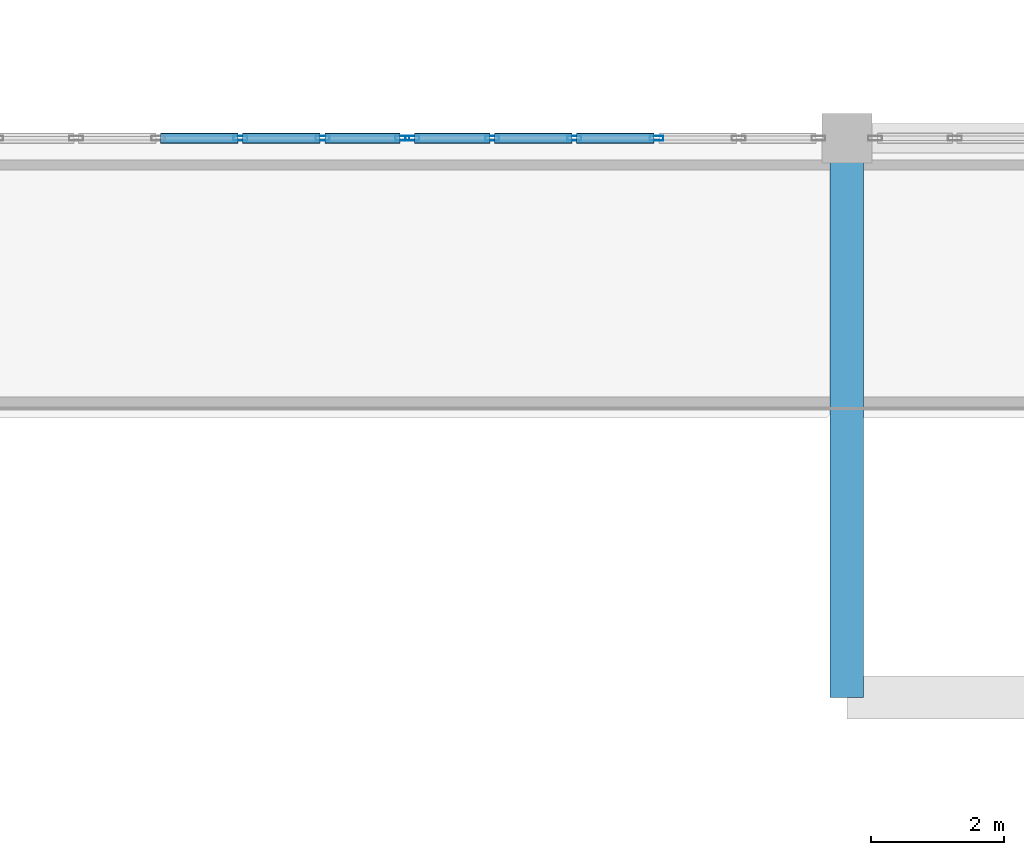
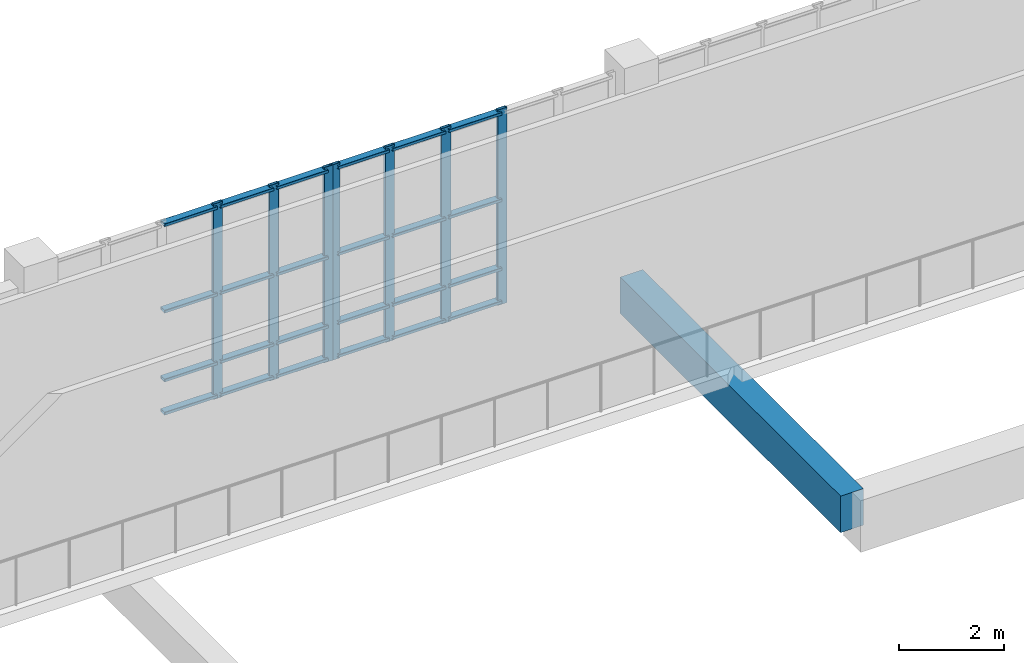
# One storey, part 47 of 106: 31 members, 1 beam, 2 elements without a shape of their own.
"""IFC4 building model written with IfcOpenShell, lengths in metres."""

from ifc_helpers import new_model, si_unit, direction, frame, origin, origin_2d, place, context, subcontext, project, spatial, rectangle, hollow_rectangle, extrude, material, layer, layer_set, material_profile, profile_set, type_object, element, aggregate, save


model = new_model("IFC4")

# Units and contexts
model_context = context("Model", 3, precision=1e-05, world=origin(), true_north=direction((0.0, 1.0)))
body_context = subcontext(model_context, "Body", "Model", "MODEL_VIEW")
ifc_project = project(units=[si_unit("LENGTHUNIT", "METRE"), si_unit("AREAUNIT", "SQUARE_METRE"), si_unit("VOLUMEUNIT", "CUBIC_METRE"), si_unit("PLANEANGLEUNIT", "RADIAN"), si_unit("MASSUNIT", "GRAM", prefix="KILO")], contexts=[model_context])

# Site, building, storey
site_placement = place(None, origin())
site = spatial("IfcSite", under=ifc_project, at=site_placement, CompositionType="ELEMENT")
building_placement = place(site_placement, origin())
building = spatial("IfcBuilding", under=site, at=building_placement, Name="Kisaragi Civic Commons", CompositionType="ELEMENT")
storey_placement = place(building_placement, frame((0.0, 0.0, 4.800048828125)))
storey = spatial("IfcBuildingStorey", under=building, at=storey_placement, Name="L01", CompositionType="ELEMENT", Elevation=4.800048828125)

# Curtain wall, members
ifc_material_1 = material(Name="Thermally broken anodized aluminium and low-E double glazing", Category="aluminium")
ifc_layer = layer(ifc_material_1, 0.2099609375, Name="Thermally broken anodized aluminium and low-E double glazing", Category="aluminium")
ifc_layer_set = layer_set([ifc_layer], Name="Thermally broken anodized aluminium and low-E double glazing")
curtain_wall_type = type_object("IfcCurtainWallType", Name="CW-02", PredefinedType="NOTDEFINED", material=ifc_layer_set)
curtain_wall_1_placement = place(storey_placement, origin())
curtain_wall_1 = element("IfcCurtainWall", 1, at=curtain_wall_1_placement, inside=storey, type_object=curtain_wall_type, Name="L01 curtain wall CW-02 CW-V3-L01-019", PredefinedType="NOTDEFINED")
ifc_material_profile_1 = material_profile(ifc_material_1, hollow_rectangle(XDim=0.070068359375, YDim=0.2099609375, WallThickness=0.0048828125, InnerFilletRadius=0.0048828125, OuterFilletRadius=0.010009765625, at=origin_2d()), Name="CWM-70x210x5", Category="aluminium")
ifc_profile_set_1 = profile_set([ifc_material_profile_1], Name="Thermally broken anodized aluminium and low-E double glazing")
member_type_1 = type_object("IfcMemberType", Name="CWM-03", PredefinedType="MULLION", material=ifc_profile_set_1)
member_1_placement = place(storey_placement, frame((137.2919921875, 25.199951171875, 0.0), z_axis=(0.0, 0.0, 1.0), x_axis=(0.0, 1.0, 0.0)))
member_1 = element("IfcMember", 2, at=member_1_placement, type_object=member_type_1, Name="CW-02 mullion 4", PredefinedType="MULLION", context=body_context, shape_type="SweptSolid", body=[
    extrude(hollow_rectangle(XDim=0.070068359375, YDim=0.2099609375, WallThickness=0.0048828125, InnerFilletRadius=0.0048828125, OuterFilletRadius=0.010009765625, at=origin_2d()), origin(), (0.0, 0.0, 1.0), 4.5400390625),
])
member_2_placement = place(storey_placement, frame((138.52587890625, 25.199951171875, 0.0), z_axis=(0.0, 0.0, 1.0), x_axis=(0.0, 1.0, 0.0)))
member_2 = element("IfcMember", 3, at=member_2_placement, type_object=member_type_1, Name="CW-02 mullion 5", PredefinedType="MULLION", context=body_context, shape_type="SweptSolid", body=[
    extrude(hollow_rectangle(XDim=0.070068359375, YDim=0.2099609375, WallThickness=0.0048828125, InnerFilletRadius=0.0048828125, OuterFilletRadius=0.010009765625, at=origin_2d()), origin(), (0.0, 0.0, 1.0), 4.5400390625),
])
member_3_placement = place(storey_placement, frame((139.72509765625, 25.199951171875, 0.0), z_axis=(0.0, 0.0, 1.0), x_axis=(0.0, 1.0, 0.0)))
member_3 = element("IfcMember", 4, at=member_3_placement, type_object=member_type_1, Name="CW-02 mullion 6", PredefinedType="MULLION", context=body_context, shape_type="SweptSolid", body=[
    extrude(hollow_rectangle(XDim=0.070068359375, YDim=0.2099609375, WallThickness=0.0048828125, InnerFilletRadius=0.0048828125, OuterFilletRadius=0.010009765625, at=origin_2d()), origin(), (0.0, 0.0, 1.0), 4.5400390625),
])

curtain_wall_2_placement = place(storey_placement, origin())
curtain_wall_2 = element("IfcCurtainWall", 5, at=curtain_wall_2_placement, inside=storey, type_object=curtain_wall_type, Name="L01 curtain wall CW-02 CW-V3-L01-020", PredefinedType="NOTDEFINED")
member_4_placement = place(storey_placement, frame((139.875, 25.199951171875, 0.0), z_axis=(0.0, 0.0, 1.0), x_axis=(0.0, 1.0, 0.0)))
member_4 = element("IfcMember", 6, at=member_4_placement, type_object=member_type_1, Name="CW-02 mullion 1", PredefinedType="MULLION", context=body_context, shape_type="SweptSolid", body=[
    extrude(hollow_rectangle(XDim=0.070068359375, YDim=0.2099609375, WallThickness=0.0048828125, InnerFilletRadius=0.0048828125, OuterFilletRadius=0.010009765625, at=origin_2d()), origin(), (0.0, 0.0, 1.0), 4.5400390625),
])
member_5_placement = place(storey_placement, frame((141.073974609375, 25.199951171875, 0.0), z_axis=(0.0, 0.0, 1.0), x_axis=(0.0, 1.0, 0.0)))
member_5 = element("IfcMember", 7, at=member_5_placement, type_object=member_type_1, Name="CW-02 mullion 2", PredefinedType="MULLION", context=body_context, shape_type="SweptSolid", body=[
    extrude(hollow_rectangle(XDim=0.070068359375, YDim=0.2099609375, WallThickness=0.0048828125, InnerFilletRadius=0.0048828125, OuterFilletRadius=0.010009765625, at=origin_2d()), origin(), (0.0, 0.0, 1.0), 4.5400390625),
])
member_6_placement = place(storey_placement, frame((142.30810546875, 25.199951171875, 0.0), z_axis=(0.0, 0.0, 1.0), x_axis=(0.0, 1.0, 0.0)))
member_6 = element("IfcMember", 8, at=member_6_placement, type_object=member_type_1, Name="CW-02 mullion 3", PredefinedType="MULLION", context=body_context, shape_type="SweptSolid", body=[
    extrude(hollow_rectangle(XDim=0.070068359375, YDim=0.2099609375, WallThickness=0.0048828125, InnerFilletRadius=0.0048828125, OuterFilletRadius=0.010009765625, at=origin_2d()), origin(), (0.0, 0.0, 1.0), 4.5400390625),
])
member_7_placement = place(storey_placement, frame((143.5419921875, 25.199951171875, 0.0), z_axis=(0.0, 0.0, 1.0), x_axis=(0.0, 1.0, 0.0)))
member_7 = element("IfcMember", 9, at=member_7_placement, type_object=member_type_1, Name="CW-02 mullion 4", PredefinedType="MULLION", context=body_context, shape_type="SweptSolid", body=[
    extrude(hollow_rectangle(XDim=0.070068359375, YDim=0.2099609375, WallThickness=0.0048828125, InnerFilletRadius=0.0048828125, OuterFilletRadius=0.010009765625, at=origin_2d()), origin(), (0.0, 0.0, 1.0), 4.5400390625),
])

# Member
ifc_material_profile_2 = material_profile(ifc_material_1, hollow_rectangle(XDim=0.159912109375, YDim=0.070068359375, WallThickness=0.0048828125, InnerFilletRadius=0.0048828125, OuterFilletRadius=0.010009765625, at=origin_2d()), Name="CWT-70x160x5", Category="aluminium")
ifc_profile_set_2 = profile_set([ifc_material_profile_2], Name="Thermally broken anodized aluminium and low-E double glazing")
member_type_2 = type_object("IfcMemberType", Name="CWT-03", PredefinedType="USERDEFINED", material=ifc_profile_set_2)
member_8_placement = place(storey_placement, frame((136.093017578125, 25.199951171875, 0.079833984375), z_axis=(1.0, 0.0, 0.0), x_axis=(0.0, 1.0, 0.0)))
member_8 = element("IfcMember", 10, at=member_8_placement, type_object=member_type_2, Name="CW-02 transom 3.1", ObjectType="TRANSOM", PredefinedType="USERDEFINED", context=body_context, shape_type="SweptSolid", body=[
    extrude(hollow_rectangle(XDim=0.159912109375, YDim=0.070068359375, WallThickness=0.0048828125, InnerFilletRadius=0.0048828125, OuterFilletRadius=0.010009765625, at=origin_2d()), origin(), (0.0, 0.0, 1.0), 1.1640625),
])

member_9_placement = place(storey_placement, frame((136.093017578125, 25.199951171875, 0.849853515625), z_axis=(1.0, 0.0, 0.0), x_axis=(0.0, 1.0, 0.0)))
member_9 = element("IfcMember", 11, at=member_9_placement, type_object=member_type_2, Name="CW-02 transom 3.2", ObjectType="TRANSOM", PredefinedType="USERDEFINED", context=body_context, shape_type="SweptSolid", body=[
    extrude(hollow_rectangle(XDim=0.159912109375, YDim=0.070068359375, WallThickness=0.0048828125, InnerFilletRadius=0.0048828125, OuterFilletRadius=0.010009765625, at=origin_2d()), origin(), (0.0, 0.0, 1.0), 1.1640625),
])

member_10_placement = place(storey_placement, frame((136.093017578125, 25.199951171875, 2.449951171875), z_axis=(1.0, 0.0, 0.0), x_axis=(0.0, 1.0, 0.0)))
member_10 = element("IfcMember", 12, at=member_10_placement, type_object=member_type_2, Name="CW-02 transom 3.3", ObjectType="TRANSOM", PredefinedType="USERDEFINED", context=body_context, shape_type="SweptSolid", body=[
    extrude(hollow_rectangle(XDim=0.159912109375, YDim=0.070068359375, WallThickness=0.0048828125, InnerFilletRadius=0.0048828125, OuterFilletRadius=0.010009765625, at=origin_2d()), origin(), (0.0, 0.0, 1.0), 1.1640625),
])

member_11_placement = place(storey_placement, frame((136.093017578125, 25.199951171875, 4.4599609375), z_axis=(1.0, 0.0, 0.0), x_axis=(0.0, 1.0, 0.0)))
member_11 = element("IfcMember", 13, at=member_11_placement, type_object=member_type_2, Name="CW-02 transom 3.4", ObjectType="TRANSOM", PredefinedType="USERDEFINED", context=body_context, shape_type="SweptSolid", body=[
    extrude(hollow_rectangle(XDim=0.159912109375, YDim=0.070068359375, WallThickness=0.0048828125, InnerFilletRadius=0.0048828125, OuterFilletRadius=0.010009765625, at=origin_2d()), origin(), (0.0, 0.0, 1.0), 1.1640625),
])

member_12_placement = place(storey_placement, frame((137.326904296875, 25.199951171875, 0.079833984375), z_axis=(1.0, 0.0, 0.0), x_axis=(0.0, 1.0, 0.0)))
member_12 = element("IfcMember", 14, at=member_12_placement, type_object=member_type_2, Name="CW-02 transom 4.1", ObjectType="TRANSOM", PredefinedType="USERDEFINED", context=body_context, shape_type="SweptSolid", body=[
    extrude(hollow_rectangle(XDim=0.159912109375, YDim=0.070068359375, WallThickness=0.0048828125, InnerFilletRadius=0.0048828125, OuterFilletRadius=0.010009765625, at=origin_2d()), origin(), (0.0, 0.0, 1.0), 1.1640625),
])

member_13_placement = place(storey_placement, frame((137.326904296875, 25.199951171875, 0.849853515625), z_axis=(1.0, 0.0, 0.0), x_axis=(0.0, 1.0, 0.0)))
member_13 = element("IfcMember", 15, at=member_13_placement, type_object=member_type_2, Name="CW-02 transom 4.2", ObjectType="TRANSOM", PredefinedType="USERDEFINED", context=body_context, shape_type="SweptSolid", body=[
    extrude(hollow_rectangle(XDim=0.159912109375, YDim=0.070068359375, WallThickness=0.0048828125, InnerFilletRadius=0.0048828125, OuterFilletRadius=0.010009765625, at=origin_2d()), origin(), (0.0, 0.0, 1.0), 1.1640625),
])

member_14_placement = place(storey_placement, frame((137.326904296875, 25.199951171875, 2.449951171875), z_axis=(1.0, 0.0, 0.0), x_axis=(0.0, 1.0, 0.0)))
member_14 = element("IfcMember", 16, at=member_14_placement, type_object=member_type_2, Name="CW-02 transom 4.3", ObjectType="TRANSOM", PredefinedType="USERDEFINED", context=body_context, shape_type="SweptSolid", body=[
    extrude(hollow_rectangle(XDim=0.159912109375, YDim=0.070068359375, WallThickness=0.0048828125, InnerFilletRadius=0.0048828125, OuterFilletRadius=0.010009765625, at=origin_2d()), origin(), (0.0, 0.0, 1.0), 1.1640625),
])

member_15_placement = place(storey_placement, frame((137.326904296875, 25.199951171875, 4.4599609375), z_axis=(1.0, 0.0, 0.0), x_axis=(0.0, 1.0, 0.0)))
member_15 = element("IfcMember", 17, at=member_15_placement, type_object=member_type_2, Name="CW-02 transom 4.4", ObjectType="TRANSOM", PredefinedType="USERDEFINED", context=body_context, shape_type="SweptSolid", body=[
    extrude(hollow_rectangle(XDim=0.159912109375, YDim=0.070068359375, WallThickness=0.0048828125, InnerFilletRadius=0.0048828125, OuterFilletRadius=0.010009765625, at=origin_2d()), origin(), (0.0, 0.0, 1.0), 1.1640625),
])

member_16_placement = place(storey_placement, frame((138.56103515625, 25.199951171875, 0.079833984375), z_axis=(1.0, 0.0, 0.0), x_axis=(0.0, 1.0, 0.0)))
member_16 = element("IfcMember", 18, at=member_16_placement, type_object=member_type_2, Name="CW-02 transom 5.1", ObjectType="TRANSOM", PredefinedType="USERDEFINED", context=body_context, shape_type="SweptSolid", body=[
    extrude(hollow_rectangle(XDim=0.159912109375, YDim=0.070068359375, WallThickness=0.0048828125, InnerFilletRadius=0.0048828125, OuterFilletRadius=0.010009765625, at=origin_2d()), origin(), (0.0, 0.0, 1.0), 1.12890625),
])

member_17_placement = place(storey_placement, frame((138.56103515625, 25.199951171875, 0.849853515625), z_axis=(1.0, 0.0, 0.0), x_axis=(0.0, 1.0, 0.0)))
member_17 = element("IfcMember", 19, at=member_17_placement, type_object=member_type_2, Name="CW-02 transom 5.2", ObjectType="TRANSOM", PredefinedType="USERDEFINED", context=body_context, shape_type="SweptSolid", body=[
    extrude(hollow_rectangle(XDim=0.159912109375, YDim=0.070068359375, WallThickness=0.0048828125, InnerFilletRadius=0.0048828125, OuterFilletRadius=0.010009765625, at=origin_2d()), origin(), (0.0, 0.0, 1.0), 1.12890625),
])

member_18_placement = place(storey_placement, frame((138.56103515625, 25.199951171875, 2.449951171875), z_axis=(1.0, 0.0, 0.0), x_axis=(0.0, 1.0, 0.0)))
member_18 = element("IfcMember", 20, at=member_18_placement, type_object=member_type_2, Name="CW-02 transom 5.3", ObjectType="TRANSOM", PredefinedType="USERDEFINED", context=body_context, shape_type="SweptSolid", body=[
    extrude(hollow_rectangle(XDim=0.159912109375, YDim=0.070068359375, WallThickness=0.0048828125, InnerFilletRadius=0.0048828125, OuterFilletRadius=0.010009765625, at=origin_2d()), origin(), (0.0, 0.0, 1.0), 1.12890625),
])

member_19_placement = place(storey_placement, frame((138.56103515625, 25.199951171875, 4.4599609375), z_axis=(1.0, 0.0, 0.0), x_axis=(0.0, 1.0, 0.0)))
member_19 = element("IfcMember", 21, at=member_19_placement, type_object=member_type_2, Name="CW-02 transom 5.4", ObjectType="TRANSOM", PredefinedType="USERDEFINED", context=body_context, shape_type="SweptSolid", body=[
    extrude(hollow_rectangle(XDim=0.159912109375, YDim=0.070068359375, WallThickness=0.0048828125, InnerFilletRadius=0.0048828125, OuterFilletRadius=0.010009765625, at=origin_2d()), origin(), (0.0, 0.0, 1.0), 1.12890625),
])

aggregate(curtain_wall_1, [member_1, member_2, member_3, member_8, member_9, member_10, member_11, member_12, member_13, member_14, member_15, member_16, member_17, member_18, member_19])

member_20_placement = place(storey_placement, frame((139.909912109375, 25.199951171875, 0.079833984375), z_axis=(1.0, 0.0, 0.0), x_axis=(0.0, 1.0, 0.0)))
member_20 = element("IfcMember", 22, at=member_20_placement, type_object=member_type_2, Name="CW-02 transom 1.1", ObjectType="TRANSOM", PredefinedType="USERDEFINED", context=body_context, shape_type="SweptSolid", body=[
    extrude(hollow_rectangle(XDim=0.159912109375, YDim=0.070068359375, WallThickness=0.0048828125, InnerFilletRadius=0.0048828125, OuterFilletRadius=0.010009765625, at=origin_2d()), origin(), (0.0, 0.0, 1.0), 1.129150390625),
])

member_21_placement = place(storey_placement, frame((139.909912109375, 25.199951171875, 0.849853515625), z_axis=(1.0, 0.0, 0.0), x_axis=(0.0, 1.0, 0.0)))
member_21 = element("IfcMember", 23, at=member_21_placement, type_object=member_type_2, Name="CW-02 transom 1.2", ObjectType="TRANSOM", PredefinedType="USERDEFINED", context=body_context, shape_type="SweptSolid", body=[
    extrude(hollow_rectangle(XDim=0.159912109375, YDim=0.070068359375, WallThickness=0.0048828125, InnerFilletRadius=0.0048828125, OuterFilletRadius=0.010009765625, at=origin_2d()), origin(), (0.0, 0.0, 1.0), 1.129150390625),
])

member_22_placement = place(storey_placement, frame((139.909912109375, 25.199951171875, 2.449951171875), z_axis=(1.0, 0.0, 0.0), x_axis=(0.0, 1.0, 0.0)))
member_22 = element("IfcMember", 24, at=member_22_placement, type_object=member_type_2, Name="CW-02 transom 1.3", ObjectType="TRANSOM", PredefinedType="USERDEFINED", context=body_context, shape_type="SweptSolid", body=[
    extrude(hollow_rectangle(XDim=0.159912109375, YDim=0.070068359375, WallThickness=0.0048828125, InnerFilletRadius=0.0048828125, OuterFilletRadius=0.010009765625, at=origin_2d()), origin(), (0.0, 0.0, 1.0), 1.129150390625),
])

member_23_placement = place(storey_placement, frame((139.909912109375, 25.199951171875, 4.4599609375), z_axis=(1.0, 0.0, 0.0), x_axis=(0.0, 1.0, 0.0)))
member_23 = element("IfcMember", 25, at=member_23_placement, type_object=member_type_2, Name="CW-02 transom 1.4", ObjectType="TRANSOM", PredefinedType="USERDEFINED", context=body_context, shape_type="SweptSolid", body=[
    extrude(hollow_rectangle(XDim=0.159912109375, YDim=0.070068359375, WallThickness=0.0048828125, InnerFilletRadius=0.0048828125, OuterFilletRadius=0.010009765625, at=origin_2d()), origin(), (0.0, 0.0, 1.0), 1.129150390625),
])

member_24_placement = place(storey_placement, frame((141.10888671875, 25.199951171875, 0.079833984375), z_axis=(1.0, 0.0, 0.0), x_axis=(0.0, 1.0, 0.0)))
member_24 = element("IfcMember", 26, at=member_24_placement, type_object=member_type_2, Name="CW-02 transom 2.1", ObjectType="TRANSOM", PredefinedType="USERDEFINED", context=body_context, shape_type="SweptSolid", body=[
    extrude(hollow_rectangle(XDim=0.159912109375, YDim=0.070068359375, WallThickness=0.0048828125, InnerFilletRadius=0.0048828125, OuterFilletRadius=0.010009765625, at=origin_2d()), origin(), (0.0, 0.0, 1.0), 1.1640625),
])

member_25_placement = place(storey_placement, frame((141.10888671875, 25.199951171875, 0.849853515625), z_axis=(1.0, 0.0, 0.0), x_axis=(0.0, 1.0, 0.0)))
member_25 = element("IfcMember", 27, at=member_25_placement, type_object=member_type_2, Name="CW-02 transom 2.2", ObjectType="TRANSOM", PredefinedType="USERDEFINED", context=body_context, shape_type="SweptSolid", body=[
    extrude(hollow_rectangle(XDim=0.159912109375, YDim=0.070068359375, WallThickness=0.0048828125, InnerFilletRadius=0.0048828125, OuterFilletRadius=0.010009765625, at=origin_2d()), origin(), (0.0, 0.0, 1.0), 1.1640625),
])

member_26_placement = place(storey_placement, frame((141.10888671875, 25.199951171875, 2.449951171875), z_axis=(1.0, 0.0, 0.0), x_axis=(0.0, 1.0, 0.0)))
member_26 = element("IfcMember", 28, at=member_26_placement, type_object=member_type_2, Name="CW-02 transom 2.3", ObjectType="TRANSOM", PredefinedType="USERDEFINED", context=body_context, shape_type="SweptSolid", body=[
    extrude(hollow_rectangle(XDim=0.159912109375, YDim=0.070068359375, WallThickness=0.0048828125, InnerFilletRadius=0.0048828125, OuterFilletRadius=0.010009765625, at=origin_2d()), origin(), (0.0, 0.0, 1.0), 1.1640625),
])

member_27_placement = place(storey_placement, frame((141.10888671875, 25.199951171875, 4.4599609375), z_axis=(1.0, 0.0, 0.0), x_axis=(0.0, 1.0, 0.0)))
member_27 = element("IfcMember", 29, at=member_27_placement, type_object=member_type_2, Name="CW-02 transom 2.4", ObjectType="TRANSOM", PredefinedType="USERDEFINED", context=body_context, shape_type="SweptSolid", body=[
    extrude(hollow_rectangle(XDim=0.159912109375, YDim=0.070068359375, WallThickness=0.0048828125, InnerFilletRadius=0.0048828125, OuterFilletRadius=0.010009765625, at=origin_2d()), origin(), (0.0, 0.0, 1.0), 1.1640625),
])

member_28_placement = place(storey_placement, frame((142.343017578125, 25.199951171875, 0.079833984375), z_axis=(1.0, 0.0, 0.0), x_axis=(0.0, 1.0, 0.0)))
member_28 = element("IfcMember", 30, at=member_28_placement, type_object=member_type_2, Name="CW-02 transom 3.1", ObjectType="TRANSOM", PredefinedType="USERDEFINED", context=body_context, shape_type="SweptSolid", body=[
    extrude(hollow_rectangle(XDim=0.159912109375, YDim=0.070068359375, WallThickness=0.0048828125, InnerFilletRadius=0.0048828125, OuterFilletRadius=0.010009765625, at=origin_2d()), origin(), (0.0, 0.0, 1.0), 1.1640625),
])

member_29_placement = place(storey_placement, frame((142.343017578125, 25.199951171875, 0.849853515625), z_axis=(1.0, 0.0, 0.0), x_axis=(0.0, 1.0, 0.0)))
member_29 = element("IfcMember", 31, at=member_29_placement, type_object=member_type_2, Name="CW-02 transom 3.2", ObjectType="TRANSOM", PredefinedType="USERDEFINED", context=body_context, shape_type="SweptSolid", body=[
    extrude(hollow_rectangle(XDim=0.159912109375, YDim=0.070068359375, WallThickness=0.0048828125, InnerFilletRadius=0.0048828125, OuterFilletRadius=0.010009765625, at=origin_2d()), origin(), (0.0, 0.0, 1.0), 1.1640625),
])

member_30_placement = place(storey_placement, frame((142.343017578125, 25.199951171875, 2.449951171875), z_axis=(1.0, 0.0, 0.0), x_axis=(0.0, 1.0, 0.0)))
member_30 = element("IfcMember", 32, at=member_30_placement, type_object=member_type_2, Name="CW-02 transom 3.3", ObjectType="TRANSOM", PredefinedType="USERDEFINED", context=body_context, shape_type="SweptSolid", body=[
    extrude(hollow_rectangle(XDim=0.159912109375, YDim=0.070068359375, WallThickness=0.0048828125, InnerFilletRadius=0.0048828125, OuterFilletRadius=0.010009765625, at=origin_2d()), origin(), (0.0, 0.0, 1.0), 1.1640625),
])

member_31_placement = place(storey_placement, frame((142.343017578125, 25.199951171875, 4.4599609375), z_axis=(1.0, 0.0, 0.0), x_axis=(0.0, 1.0, 0.0)))
member_31 = element("IfcMember", 33, at=member_31_placement, type_object=member_type_2, Name="CW-02 transom 3.4", ObjectType="TRANSOM", PredefinedType="USERDEFINED", context=body_context, shape_type="SweptSolid", body=[
    extrude(hollow_rectangle(XDim=0.159912109375, YDim=0.070068359375, WallThickness=0.0048828125, InnerFilletRadius=0.0048828125, OuterFilletRadius=0.010009765625, at=origin_2d()), origin(), (0.0, 0.0, 1.0), 1.1640625),
])

aggregate(curtain_wall_2, [member_4, member_5, member_6, member_7, member_20, member_21, member_22, member_23, member_24, member_25, member_26, member_27, member_28, member_29, member_30, member_31])

# Beam
ifc_material_2 = material(Name="Concrete Fc30", Category="concrete")
ifc_material_profile_3 = material_profile(ifc_material_2, rectangle(XDim=0.5, YDim=0.85009765625, at=origin_2d()), Name="RC-500x850", Category="concrete")
ifc_profile_set_3 = profile_set([ifc_material_profile_3], Name="Concrete Fc30")
beam_type = type_object("IfcBeamType", Name="G-02", PredefinedType="BEAM", material=ifc_profile_set_3)
beam_placement = place(storey_placement, frame((146.39990234375, 16.800048828125, -0.72998046875), z_axis=(0.0, 1.0, 0.0), x_axis=(-1.0, 0.0, 0.0)))
element("IfcBeam", 34, at=beam_placement, inside=storey, type_object=beam_type, Name="L01 girder G-02 217", PredefinedType="BEAM", context=body_context, shape_type="SweptSolid", body=[
    extrude(rectangle(XDim=0.5, YDim=0.85009765625, at=origin_2d()), origin(), (0.0, 0.0, 1.0), 8.39990234375),
])

save(model, "model.ifc")
